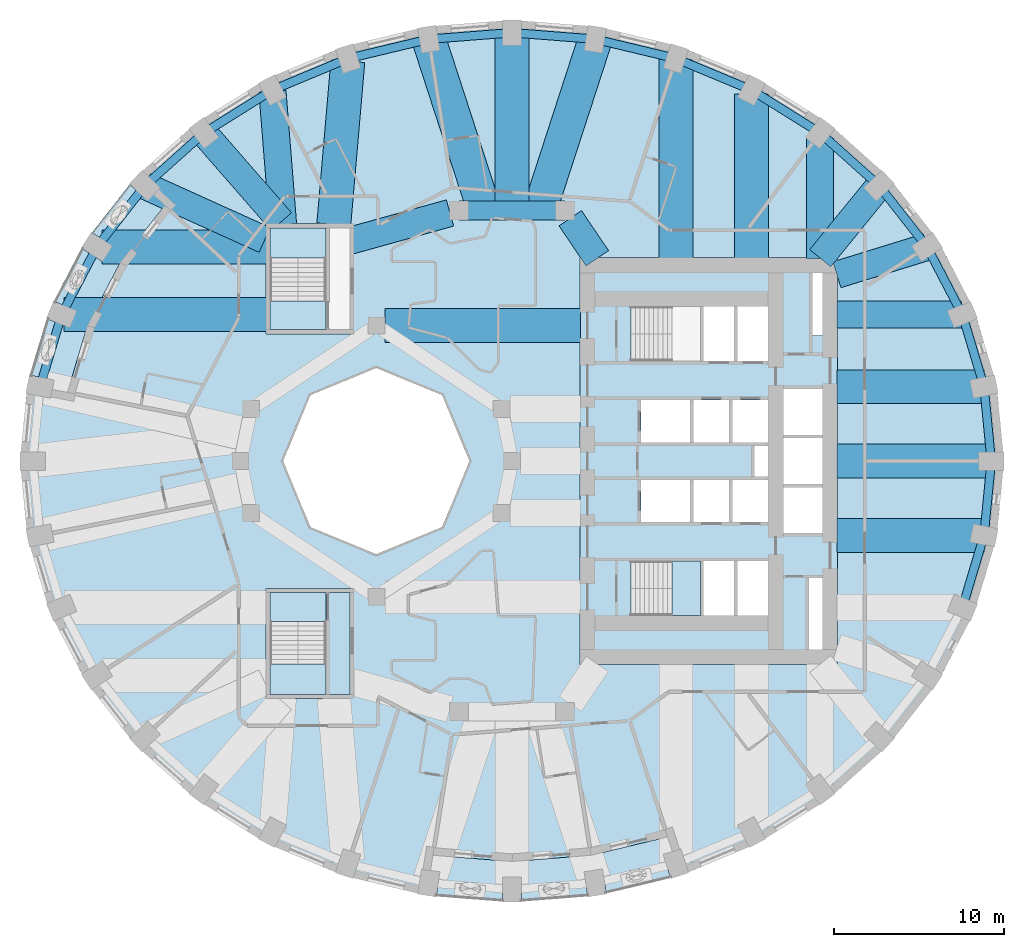
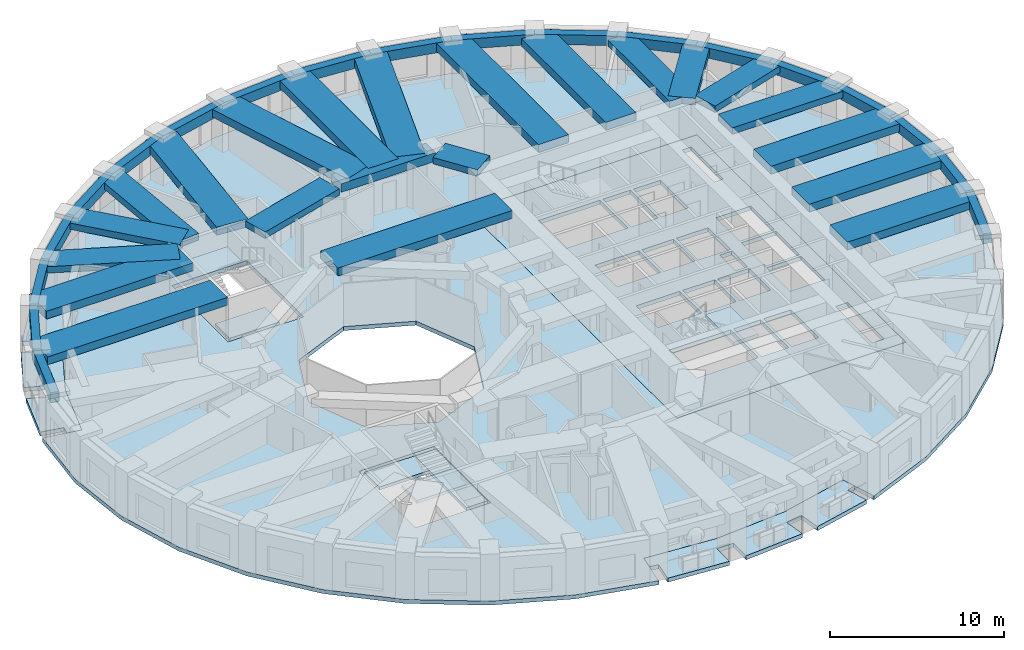
# One storey, part 2 of 13: 41 beams, 10 slabs, 3 elements without a shape of their own.
"""IFC4 building model written with IfcOpenShell, lengths in metres."""

from ifc_helpers import new_model, si_unit, direction, frame, origin, origin_2d, place, context, subcontext, project, spatial, polyline, rectangle, outline, extrude, material, layer, layer_set, material_profile, profile_set, type_object, element, aggregate, save


model = new_model("IFC4")

# Units and contexts
model_context = context("Model", 3, precision=1e-05, world=origin(), true_north=direction((0.0, 1.0)))
body_context = subcontext(model_context, "Body", "Model", "MODEL_VIEW")
ifc_project = project(units=[si_unit("LENGTHUNIT", "METRE"), si_unit("AREAUNIT", "SQUARE_METRE"), si_unit("VOLUMEUNIT", "CUBIC_METRE"), si_unit("PLANEANGLEUNIT", "RADIAN"), si_unit("MASSUNIT", "GRAM", prefix="KILO")], contexts=[model_context])

# Site, building, storey
site_placement = place(None, origin())
site = spatial("IfcSite", under=ifc_project, at=site_placement, CompositionType="ELEMENT")
building_placement = place(site_placement, origin())
building = spatial("IfcBuilding", under=site, at=building_placement, Name="Taillehof Tower", CompositionType="ELEMENT")
storey_placement = place(building_placement, frame((0.0, 0.0, 38.199951171875)))
storey = spatial("IfcBuildingStorey", under=building, at=storey_placement, Name="L09", CompositionType="ELEMENT", Elevation=38.199951171875)

# Beams
ifc_material_1 = material(Name="Concrete C50/60", Category="concrete")
ifc_material_profile_1 = material_profile(ifc_material_1, rectangle(XDim=1.10009765625, YDim=0.60009765625, at=origin_2d()), Name="RC 1100x600")
ifc_profile_set_1 = profile_set([ifc_material_profile_1], Name="Concrete C50/60")
beam_type_1 = type_object("IfcBeamType", Name="Mid-ring beam C50/60 1100x600", PredefinedType="BEAM", material=ifc_profile_set_1)
beam_1_placement = place(storey_placement, frame((3.125732421875, 14.772216796875, 2.719970703125), z_axis=(-1.0, 0.0, 0.0), x_axis=(0.0, -1.0, 0.0)))
element("IfcBeam", 1, at=beam_1_placement, inside=storey, type_object=beam_type_1, Name="Mid-ring beam MB01", PredefinedType="BEAM", context=body_context, shape_type="SweptSolid", body=[
    extrude(rectangle(XDim=1.10009765625, YDim=0.60009765625, at=origin_2d()), origin(), (0.0, 0.0, 1.0), 6.25146484375),
])
ifc_material_2 = material(Name="Concrete C50/60", Category="concrete")
ifc_material_profile_2 = material_profile(ifc_material_2, rectangle(XDim=1.60009765625, YDim=0.449951171875, at=origin_2d()), Name="RC 1600x450")
ifc_profile_set_2 = profile_set([ifc_material_profile_2], Name="Concrete C50/60")
beam_type_2 = type_object("IfcBeamType", Name="Radial band beam C50/60 1600x450", PredefinedType="BEAM", material=ifc_profile_set_2)
beam_2_placement = place(storey_placement, frame((26.490478515625, 8.635986328125, 2.795166015625), z_axis=(-1.0, 0.0, 0.0), x_axis=(0.0, -1.0, 0.0)))
element("IfcBeam", 2, at=beam_2_placement, inside=storey, type_object=beam_type_2, Name="Radial band beam RB03", PredefinedType="BEAM", context=body_context, shape_type="SweptSolid", body=[
    extrude(rectangle(XDim=1.60009765625, YDim=0.449951171875, at=origin_2d()), origin(), (0.0, 0.0, 1.0), 7.340576171875),
])
beam_3_placement = place(storey_placement, frame((24.46533203125, 12.625, 2.795166015625), z_axis=(-0.955535654338, -0.294875589511, 0.0), x_axis=(0.294875589511, -0.955535654338, 0.0)))
element("IfcBeam", 3, at=beam_3_placement, inside=storey, type_object=beam_type_2, Name="Radial band beam RB04", PredefinedType="BEAM", context=body_context, shape_type="SweptSolid", body=[
    extrude(rectangle(XDim=1.60009765625, YDim=0.449951171875, at=origin_2d()), origin(), (0.0, 0.0, 1.0), 5.560546875),
])
beam_4_placement = place(storey_placement, frame((21.640869140625, 16.23046875, 2.795166015625), z_axis=(-0.630988373846, -0.775792286679, 0.0), x_axis=(0.775792286679, -0.630988373846, 0.0)))
element("IfcBeam", 4, at=beam_4_placement, inside=storey, type_object=beam_type_2, Name="Radial band beam RB05", PredefinedType="BEAM", context=body_context, shape_type="SweptSolid", body=[
    extrude(rectangle(XDim=1.60009765625, YDim=0.449951171875, at=origin_2d()), origin(), (0.0, 0.0, 1.0), 5.503173828125),
])
beam_5_placement = place(storey_placement, frame((18.15869140625, 19.05517578125, 2.795166015625), z_axis=(0.0, -1.0, 0.0), x_axis=(1.0, 0.0, 0.0)))
element("IfcBeam", 5, at=beam_5_placement, inside=storey, type_object=beam_type_2, Name="Radial band beam RB06", PredefinedType="BEAM", context=body_context, shape_type="SweptSolid", body=[
    extrude(rectangle(XDim=1.60009765625, YDim=0.449951171875, at=origin_2d()), origin(), (0.0, 0.0, 1.0), 7.105224609375),
])
beam_6_placement = place(storey_placement, frame((-14.119873046875, 21.802978515625, 2.795166015625), z_axis=(0.079184740988, -0.996859958467, 0.0), x_axis=(0.996859958467, 0.079184740988, 0.0)))
element("IfcBeam", 6, at=beam_6_placement, inside=storey, type_object=beam_type_2, Name="Radial band beam RB13", PredefinedType="BEAM", context=body_context, shape_type="SweptSolid", body=[
    extrude(rectangle(XDim=1.60009765625, YDim=0.449951171875, at=origin_2d()), origin(), (0.0, 0.0, 1.0), 7.87744140625),
])
beam_7_placement = place(storey_placement, frame((-18.15869140625, 19.342529296875, 2.795166015625), z_axis=(0.65721824087, -0.753700327628, 0.0), x_axis=(0.753700327628, 0.65721824087, 0.0)))
element("IfcBeam", 7, at=beam_7_placement, inside=storey, type_object=beam_type_2, Name="Radial band beam RB14", PredefinedType="BEAM", context=body_context, shape_type="SweptSolid", body=[
    extrude(rectangle(XDim=1.60009765625, YDim=0.449951171875, at=origin_2d()), origin(), (0.0, 0.0, 1.0), 6.9384765625),
])
beam_8_placement = place(storey_placement, frame((-21.632568359375, 16.226806640625, 2.795166015625), z_axis=(0.911100590789, -0.412184077161, 0.0), x_axis=(0.412184077161, 0.911100590789, 0.0)))
element("IfcBeam", 8, at=beam_8_placement, inside=storey, type_object=beam_type_2, Name="Radial band beam RB15", PredefinedType="BEAM", context=body_context, shape_type="SweptSolid", body=[
    extrude(rectangle(XDim=1.60009765625, YDim=0.449951171875, at=origin_2d()), origin(), (0.0, 0.0, 1.0), 7.740966796875),
])
beam_9_placement = place(storey_placement, frame((3.433837890625, 14.31640625, 2.795166015625), z_axis=(0.560112043398, -0.828416862962, 0.0), x_axis=(0.828416862962, 0.560112043398, 0.0)))
element("IfcBeam", 9, at=beam_9_placement, inside=storey, type_object=beam_type_2, Name="Inner band beam IB205", PredefinedType="BEAM", context=body_context, shape_type="SweptSolid", body=[
    extrude(rectangle(XDim=1.60009765625, YDim=0.449951171875, at=origin_2d()), origin(), (0.0, 0.0, 1.0), 2.84619140625),
])
beam_10_placement = place(storey_placement, frame((-3.655517578125, 14.624755859375, 2.795166015625), z_axis=(-0.963459369536, -0.267854518821, 0.0), x_axis=(0.267854518821, -0.963459369536, 0.0)))
element("IfcBeam", 10, at=beam_10_placement, inside=storey, type_object=beam_type_2, Name="Inner band beam IB206", PredefinedType="BEAM", context=body_context, shape_type="SweptSolid", body=[
    extrude(rectangle(XDim=1.60009765625, YDim=0.449951171875, at=origin_2d()), origin(), (0.0, 0.0, 1.0), 6.096923828125),
])
ifc_material_3 = material(Name="Concrete C50/60", Category="concrete")
ifc_material_profile_3 = material_profile(ifc_material_3, rectangle(XDim=2.0, YDim=0.550048828125, at=origin_2d()), Name="RC 2000x550")
ifc_profile_set_3 = profile_set([ifc_material_profile_3], Name="Concrete C50/60")
beam_type_3 = type_object("IfcBeamType", Name="Radial band beam C50/60 2000x550", PredefinedType="BEAM", material=ifc_profile_set_3)
beam_11_placement = place(storey_placement, frame((28.25, 0.0, 2.7451171875), z_axis=(-1.0, 0.0, 0.0), x_axis=(0.0, -1.0, 0.0)))
element("IfcBeam", 11, at=beam_11_placement, inside=storey, type_object=beam_type_3, Name="Radial band beam RB01", PredefinedType="BEAM", context=body_context, shape_type="SweptSolid", body=[
    extrude(rectangle(XDim=2.0, YDim=0.550048828125, at=origin_2d()), origin(), (0.0, 0.0, 1.0), 9.10009765625),
])
beam_12_placement = place(storey_placement, frame((27.82080078125, 4.384521484375, 2.7451171875), z_axis=(-1.0, 0.0, 0.0), x_axis=(0.0, -1.0, 0.0)))
element("IfcBeam", 12, at=beam_12_placement, inside=storey, type_object=beam_type_3, Name="Radial band beam RB02", PredefinedType="BEAM", context=body_context, shape_type="SweptSolid", body=[
    extrude(rectangle(XDim=2.0, YDim=0.550048828125, at=origin_2d()), origin(), (0.0, 0.0, 1.0), 8.6708984375),
])
beam_13_placement = place(storey_placement, frame((14.125, 21.63232421875, 2.7451171875), z_axis=(0.0, -1.0, 0.0), x_axis=(1.0, 0.0, 0.0)))
element("IfcBeam", 13, at=beam_13_placement, inside=storey, type_object=beam_type_3, Name="Radial band beam RB07", PredefinedType="BEAM", context=body_context, shape_type="SweptSolid", body=[
    extrude(rectangle(XDim=2.0, YDim=0.550048828125, at=origin_2d()), origin(), (0.0, 0.0, 1.0), 9.682373046875),
])
beam_14_placement = place(storey_placement, frame((9.662109375, 23.664794921875, 2.7451171875), z_axis=(0.0, -1.0, 0.0), x_axis=(1.0, 0.0, 0.0)))
element("IfcBeam", 14, at=beam_14_placement, inside=storey, type_object=beam_type_3, Name="Radial band beam RB08", PredefinedType="BEAM", context=body_context, shape_type="SweptSolid", body=[
    extrude(rectangle(XDim=2.0, YDim=0.550048828125, at=origin_2d()), origin(), (0.0, 0.0, 1.0), 11.71484375),
])
beam_15_placement = place(storey_placement, frame((4.905517578125, 24.866455078125, 2.7451171875), z_axis=(-0.309014294595, -0.951057393503, 0.0), x_axis=(0.951057393503, -0.309014294595, 0.0)))
element("IfcBeam", 15, at=beam_15_placement, inside=storey, type_object=beam_type_3, Name="Radial band beam RB09", PredefinedType="BEAM", context=body_context, shape_type="SweptSolid", body=[
    extrude(rectangle(XDim=2.0, YDim=0.550048828125, at=origin_2d()), origin(), (0.0, 0.0, 1.0), 10.61376953125),
])
beam_16_placement = place(storey_placement, frame((0.0, 25.25, 2.7451171875), z_axis=(0.0, -1.0, 0.0), x_axis=(1.0, 0.0, 0.0)))
element("IfcBeam", 16, at=beam_16_placement, inside=storey, type_object=beam_type_3, Name="Radial band beam RB10", PredefinedType="BEAM", context=body_context, shape_type="SweptSolid", body=[
    extrude(rectangle(XDim=2.0, YDim=0.550048828125, at=origin_2d()), origin(), (0.0, 0.0, 1.0), 10.477783203125),
])
beam_17_placement = place(storey_placement, frame((-4.905517578125, 24.866455078125, 2.7451171875), z_axis=(0.309014294595, -0.951057393503, 0.0), x_axis=(0.951057393503, 0.309014294595, 0.0)))
element("IfcBeam", 17, at=beam_17_placement, inside=storey, type_object=beam_type_3, Name="Radial band beam RB11", PredefinedType="BEAM", context=body_context, shape_type="SweptSolid", body=[
    extrude(rectangle(XDim=2.0, YDim=0.550048828125, at=origin_2d()), origin(), (0.0, 0.0, 1.0), 10.61376953125),
])
beam_18_placement = place(storey_placement, frame((-9.675048828125, 23.575927734375, 2.7451171875), z_axis=(-0.085841202752, -0.996308831593, 0.0), x_axis=(0.996308831593, -0.085841202752, 0.0)))
element("IfcBeam", 18, at=beam_18_placement, inside=storey, type_object=beam_type_3, Name="Radial band beam RB12", PredefinedType="BEAM", context=body_context, shape_type="SweptSolid", body=[
    extrude(rectangle(XDim=2.0, YDim=0.550048828125, at=origin_2d()), origin(), (0.0, 0.0, 1.0), 9.661376953125),
])
beam_19_placement = place(storey_placement, frame((-24.172607421875, 12.625, 2.7451171875), z_axis=(1.0, 0.0, 0.0), x_axis=(0.0, 1.0, 0.0)))
element("IfcBeam", 19, at=beam_19_placement, inside=storey, type_object=beam_type_3, Name="Radial band beam RB16", PredefinedType="BEAM", context=body_context, shape_type="SweptSolid", body=[
    extrude(rectangle(XDim=2.0, YDim=0.550048828125, at=origin_2d()), origin(), (0.0, 0.0, 1.0), 9.72265625),
])
beam_20_placement = place(storey_placement, frame((-26.408935546875, 8.635986328125, 2.7451171875), z_axis=(1.0, 0.0, 0.0), x_axis=(0.0, 1.0, 0.0)))
element("IfcBeam", 20, at=beam_20_placement, inside=storey, type_object=beam_type_3, Name="Radial band beam RB17", PredefinedType="BEAM", context=body_context, shape_type="SweptSolid", body=[
    extrude(rectangle(XDim=2.0, YDim=0.550048828125, at=origin_2d()), origin(), (0.0, 0.0, 1.0), 11.958984375),
])
beam_21_placement = place(storey_placement, frame((27.82080078125, -4.384521484375, 2.7451171875), z_axis=(-1.0, 0.0, 0.0), x_axis=(0.0, -1.0, 0.0)))
element("IfcBeam", 21, at=beam_21_placement, inside=storey, type_object=beam_type_3, Name="Radial band beam RB36", PredefinedType="BEAM", context=body_context, shape_type="SweptSolid", body=[
    extrude(rectangle(XDim=2.0, YDim=0.550048828125, at=origin_2d()), origin(), (0.0, 0.0, 1.0), 8.6708984375),
])
beam_22_placement = place(storey_placement, frame((-7.5, 8.0, 2.7451171875), z_axis=(1.0, 0.0, 0.0), x_axis=(0.0, 1.0, 0.0)))
element("IfcBeam", 22, at=beam_22_placement, inside=storey, type_object=beam_type_3, Name="Inner band beam IB105", PredefinedType="BEAM", context=body_context, shape_type="SweptSolid", body=[
    extrude(rectangle(XDim=2.0, YDim=0.550048828125, at=origin_2d()), origin(), (0.0, 0.0, 1.0), 11.550048828125),
])
ifc_material_4 = material(Name="Concrete C50/60", Category="concrete")
ifc_material_profile_4 = material_profile(ifc_material_4, rectangle(XDim=0.5, YDim=0.699951171875, at=origin_2d()), Name="RC 500x700")
ifc_profile_set_4 = profile_set([ifc_material_profile_4], Name="Concrete C50/60")
beam_type_4 = type_object("IfcBeamType", Name="Spandrel beam C50/60 500x700", PredefinedType="SPANDREL", material=ifc_profile_set_4)
beam_23_placement = place(storey_placement, frame((28.25, 0.0, 2.670166015625), z_axis=(-0.097423973567, 0.99524297002, 0.0), x_axis=(-0.99524297002, -0.097423973567, 0.0)))
element("IfcBeam", 23, at=beam_23_placement, inside=storey, type_object=beam_type_4, Name="Spandrel beam SB01", PredefinedType="SPANDREL", context=body_context, shape_type="SweptSolid", body=[
    extrude(rectangle(XDim=0.5, YDim=0.699951171875, at=origin_2d()), origin(), (0.0, 0.0, 1.0), 4.405517578125),
])
beam_24_placement = place(storey_placement, frame((27.82080078125, 4.384521484375, 2.670166015625), z_axis=(-0.287135925407, 0.957889847707, 0.0), x_axis=(-0.957889847707, -0.287135925407, 0.0)))
element("IfcBeam", 24, at=beam_24_placement, inside=storey, type_object=beam_type_4, Name="Spandrel beam SB02", PredefinedType="SPANDREL", context=body_context, shape_type="SweptSolid", body=[
    extrude(rectangle(XDim=0.5, YDim=0.699951171875, at=origin_2d()), origin(), (0.0, 0.0, 1.0), 4.4384765625),
])
beam_25_placement = place(storey_placement, frame((26.54638671875, 8.635986328125, 2.670166015625), z_axis=(-0.462536335232, 0.886600326297, 0.0), x_axis=(-0.886600326297, -0.462536335232, 0.0)))
element("IfcBeam", 25, at=beam_25_placement, inside=storey, type_object=beam_type_4, Name="Spandrel beam SB03", PredefinedType="SPANDREL", context=body_context, shape_type="SweptSolid", body=[
    extrude(rectangle(XDim=0.5, YDim=0.699951171875, at=origin_2d()), origin(), (0.0, 0.0, 1.0), 4.499267578125),
])
beam_26_placement = place(storey_placement, frame((24.46533203125, 12.625, 2.670166015625), z_axis=(-0.616686200373, 0.787209076593, 0.0), x_axis=(-0.787209076593, -0.616686200373, 0.0)))
element("IfcBeam", 26, at=beam_26_placement, inside=storey, type_object=beam_type_4, Name="Spandrel beam SB04", PredefinedType="SPANDREL", context=body_context, shape_type="SweptSolid", body=[
    extrude(rectangle(XDim=0.5, YDim=0.699951171875, at=origin_2d()), origin(), (0.0, 0.0, 1.0), 4.580078125),
])
beam_27_placement = place(storey_placement, frame((21.640869140625, 16.23046875, 2.670166015625), z_axis=(-0.745621283614, 0.666369943366, 0.0), x_axis=(-0.666369943366, -0.745621283614, 0.0)))
element("IfcBeam", 27, at=beam_27_placement, inside=storey, type_object=beam_type_4, Name="Spandrel beam SB05", PredefinedType="SPANDREL", context=body_context, shape_type="SweptSolid", body=[
    extrude(rectangle(XDim=0.5, YDim=0.699951171875, at=origin_2d()), origin(), (0.0, 0.0, 1.0), 4.670166015625),
])
beam_28_placement = place(storey_placement, frame((18.15869140625, 19.342529296875, 2.670166015625), z_axis=(-0.847658018883, 0.530543007703, 0.0), x_axis=(-0.530543007703, -0.847658018883, 0.0)))
element("IfcBeam", 28, at=beam_28_placement, inside=storey, type_object=beam_type_4, Name="Spandrel beam SB06", PredefinedType="SPANDREL", context=body_context, shape_type="SweptSolid", body=[
    extrude(rectangle(XDim=0.5, YDim=0.699951171875, at=origin_2d()), origin(), (0.0, 0.0, 1.0), 4.758544921875),
])
beam_29_placement = place(storey_placement, frame((14.125, 21.8671875, 2.670166015625), z_axis=(-0.923035088053, 0.384715773297, 0.0), x_axis=(-0.384715773297, -0.923035088053, 0.0)))
element("IfcBeam", 29, at=beam_29_placement, inside=storey, type_object=beam_type_4, Name="Spandrel beam SB07", PredefinedType="SPANDREL", context=body_context, shape_type="SweptSolid", body=[
    extrude(rectangle(XDim=0.5, YDim=0.699951171875, at=origin_2d()), origin(), (0.0, 0.0, 1.0), 4.8349609375),
])
beam_30_placement = place(storey_placement, frame((9.662109375, 23.727294921875, 2.670166015625), z_axis=(-0.9724995553, 0.232904733616, 0.0), x_axis=(-0.232904733616, -0.9724995553, 0.0)))
element("IfcBeam", 30, at=beam_30_placement, inside=storey, type_object=beam_type_4, Name="Spandrel beam SB08", PredefinedType="SPANDREL", context=body_context, shape_type="SweptSolid", body=[
    extrude(rectangle(XDim=0.5, YDim=0.699951171875, at=origin_2d()), origin(), (0.0, 0.0, 1.0), 4.89111328125),
])
for number, where, z_axis, x_axis, name in (
    (31, (4.905517578125, 24.866455078125, 2.670166015625), (-0.996957383661, 0.077948541767, 0.0), (-0.077948541767, -0.996957383661, 0.0), "Spandrel beam SB09"),
    (32, (0.0, 25.25, 2.670166015625), (-0.996957383661, -0.077948541767, 0.0), (0.077948541767, -0.996957383661, 0.0), "Spandrel beam SB10"),
):
    element("IfcBeam", number, at=place(storey_placement, frame(where, z_axis=z_axis, x_axis=x_axis)), inside=storey, type_object=beam_type_4, Name=name, PredefinedType="SPANDREL", context=body_context, shape_type="SweptSolid", body=[
        extrude(rectangle(XDim=0.5, YDim=0.699951171875, at=origin_2d()), origin(), (0.0, 0.0, 1.0), 4.92041015625),
    ])
beam_31_placement = place(storey_placement, frame((-4.905517578125, 24.866455078125, 2.670166015625), z_axis=(-0.9724995553, -0.232904733616, 0.0), x_axis=(0.232904733616, -0.9724995553, 0.0)))
element("IfcBeam", 33, at=beam_31_placement, inside=storey, type_object=beam_type_4, Name="Spandrel beam SB11", PredefinedType="SPANDREL", context=body_context, shape_type="SweptSolid", body=[
    extrude(rectangle(XDim=0.5, YDim=0.699951171875, at=origin_2d()), origin(), (0.0, 0.0, 1.0), 4.89111328125),
])
beam_32_placement = place(storey_placement, frame((-9.662109375, 23.727294921875, 2.670166015625), z_axis=(-0.923035088053, -0.384715773297, 0.0), x_axis=(0.384715773297, -0.923035088053, 0.0)))
element("IfcBeam", 34, at=beam_32_placement, inside=storey, type_object=beam_type_4, Name="Spandrel beam SB12", PredefinedType="SPANDREL", context=body_context, shape_type="SweptSolid", body=[
    extrude(rectangle(XDim=0.5, YDim=0.699951171875, at=origin_2d()), origin(), (0.0, 0.0, 1.0), 4.8349609375),
])
beam_33_placement = place(storey_placement, frame((-14.125, 21.8671875, 2.670166015625), z_axis=(-0.847658018883, -0.530543007703, 0.0), x_axis=(0.530543007703, -0.847658018883, 0.0)))
element("IfcBeam", 35, at=beam_33_placement, inside=storey, type_object=beam_type_4, Name="Spandrel beam SB13", PredefinedType="SPANDREL", context=body_context, shape_type="SweptSolid", body=[
    extrude(rectangle(XDim=0.5, YDim=0.699951171875, at=origin_2d()), origin(), (0.0, 0.0, 1.0), 4.758544921875),
])
beam_34_placement = place(storey_placement, frame((-18.15869140625, 19.342529296875, 2.670166015625), z_axis=(-0.745621283614, -0.666369943366, 0.0), x_axis=(0.666369943366, -0.745621283614, 0.0)))
element("IfcBeam", 36, at=beam_34_placement, inside=storey, type_object=beam_type_4, Name="Spandrel beam SB14", PredefinedType="SPANDREL", context=body_context, shape_type="SweptSolid", body=[
    extrude(rectangle(XDim=0.5, YDim=0.699951171875, at=origin_2d()), origin(), (0.0, 0.0, 1.0), 4.670166015625),
])
beam_35_placement = place(storey_placement, frame((-21.640869140625, 16.23046875, 2.670166015625), z_axis=(-0.616686200373, -0.787209076593, 0.0), x_axis=(0.787209076593, -0.616686200373, 0.0)))
element("IfcBeam", 37, at=beam_35_placement, inside=storey, type_object=beam_type_4, Name="Spandrel beam SB15", PredefinedType="SPANDREL", context=body_context, shape_type="SweptSolid", body=[
    extrude(rectangle(XDim=0.5, YDim=0.699951171875, at=origin_2d()), origin(), (0.0, 0.0, 1.0), 4.580078125),
])
beam_36_placement = place(storey_placement, frame((-24.46533203125, 12.625, 2.670166015625), z_axis=(-0.462536335232, -0.886600326297, 0.0), x_axis=(0.886600326297, -0.462536335232, 0.0)))
element("IfcBeam", 38, at=beam_36_placement, inside=storey, type_object=beam_type_4, Name="Spandrel beam SB16", PredefinedType="SPANDREL", context=body_context, shape_type="SweptSolid", body=[
    extrude(rectangle(XDim=0.5, YDim=0.699951171875, at=origin_2d()), origin(), (0.0, 0.0, 1.0), 4.499267578125),
])
for number, where, z_axis, x_axis, name in (
    (39, (-26.54638671875, 8.635986328125, 2.670166015625), (-0.287135925407, -0.957889847707, 0.0), (0.957889847707, -0.287135925407, 0.0), "Spandrel beam SB17"),
    (40, (26.54638671875, -8.635986328125, 2.670166015625), (0.287135925407, 0.957889847707, 0.0), (-0.957889847707, 0.287135925407, 0.0), "Spandrel beam SB35"),
):
    element("IfcBeam", number, at=place(storey_placement, frame(where, z_axis=z_axis, x_axis=x_axis)), inside=storey, type_object=beam_type_4, Name=name, PredefinedType="SPANDREL", context=body_context, shape_type="SweptSolid", body=[
        extrude(rectangle(XDim=0.5, YDim=0.699951171875, at=origin_2d()), origin(), (0.0, 0.0, 1.0), 4.4384765625),
    ])
beam_37_placement = place(storey_placement, frame((27.82080078125, -4.384521484375, 2.670166015625), z_axis=(0.097423973567, 0.99524297002, 0.0), x_axis=(-0.99524297002, 0.097423973567, 0.0)))
element("IfcBeam", 41, at=beam_37_placement, inside=storey, type_object=beam_type_4, Name="Spandrel beam SB36", PredefinedType="SPANDREL", context=body_context, shape_type="SweptSolid", body=[
    extrude(rectangle(XDim=0.5, YDim=0.699951171875, at=origin_2d()), origin(), (0.0, 0.0, 1.0), 4.405517578125),
])

# Slabs
ifc_material_5 = material(Name="Concrete C40/50", Category="concrete")
ifc_layer_1 = layer(ifc_material_5, 0.280029296875)
ifc_layer_set_1 = layer_set([ifc_layer_1], Name="Balcony slab 280")
slab_type_1 = type_object("IfcSlabType", Name="Balcony slab 280", PredefinedType="USERDEFINED", material=ifc_layer_set_1)
slab_1_placement = place(storey_placement, frame((0.0, 0.0, -0.280029296875)))
element("IfcSlab", 42, at=slab_1_placement, inside=storey, type_object=slab_type_1, Name="Balcony L09 pocket 4", ObjectType="BALCONY", PredefinedType="USERDEFINED", context=body_context, shape_type="SweptSolid", body=[
    extrude(outline(polyline([(-26.20458984375, 4.0517578125), (-27.087646484375, 4.225341796875), (-26.978759765625, 4.779541015625), (-28.39697265625, 5.058349609375), (-27.4013671875, 8.3896484375), (-26.058349609375, 7.84423828125), (-25.64453125, 8.863525390625), (-26.9833984375, 9.406982421875), (-25.352783203125, 12.54248046875), (-24.13232421875, 11.756591796875), (-23.536865234375, 12.681396484375), (-24.752197265625, 13.464111328125), (-22.530029296875, 16.309326171875), (-21.468994140625, 15.31640625), (-21.120849609375, 15.688232421875), (-20.463134765625, 15.072509765625), (-23.096923828125, 11.70068359375), (-25.02734375, 7.98974609375), (-26.20458984375, 4.0517578125)])), origin(), (0.0, 0.0, 1.0), 0.280029296875),
])
slab_2_placement = place(storey_placement, frame((0.0, 0.0, -0.280029296875)))
element("IfcSlab", 43, at=slab_2_placement, inside=storey, type_object=slab_type_1, Name="Balcony L09 pocket 8", ObjectType="BALCONY", PredefinedType="USERDEFINED", context=body_context, shape_type="SweptSolid", body=[
    extrude(outline(polyline([(9.174072265625, -22.150390625), (9.453369140625, -23.00634765625), (8.906494140625, -23.184814453125), (9.357421875, -24.56689453125), (5.559326171875, -25.479248046875), (5.331787109375, -24.039794921875), (4.2451171875, -24.21142578125), (4.472412109375, -25.649169921875), (0.550048828125, -25.956787109375), (0.550048828125, -24.5), (-0.550048828125, -24.5), (-0.550048828125, -25.956787109375), (-4.472412109375, -25.649169921875), (-4.2451171875, -24.21142578125), (-4.801513671875, -24.12353515625), (-4.6611328125, -23.234375), (0.0, -23.60009765625), (4.6611328125, -23.234375), (9.174072265625, -22.150390625)])), origin(), (0.0, 0.0, 1.0), 0.280029296875),
])
ifc_material_6 = material(Name="Concrete C40/50", Category="concrete")
ifc_layer_2 = layer(ifc_material_6, 0.280029296875)
ifc_layer_set_2 = layer_set([ifc_layer_2], Name="Core floor slab C40/50 280")
slab_type_2 = type_object("IfcSlabType", Name="Core floor slab C40/50 280", PredefinedType="FLOOR", material=ifc_layer_set_2)
slab_3_placement = place(storey_placement, frame((0.0, 0.0, -0.280029296875)))
element("IfcSlab", 44, at=slab_3_placement, inside=storey, type_object=slab_type_2, Name="Core floor L09", PredefinedType="FLOOR", context=body_context, shape_type="SweptSolid", body=[
    extrude(outline(polyline([(4.0, -12.0), (4.0, 12.0), (19.199951171875, 12.0), (19.199951171875, -12.0), (4.0, -12.0)]), holes=[polyline([(7.00048828125, -9.10009765625), (11.10009765625, -9.10009765625), (11.10009765625, -5.89990234375), (7.00048828125, -5.89990234375), (7.00048828125, -9.10009765625)]), polyline([(13.10009765625, -9.10009765625), (13.10009765625, -5.89990234375), (11.300048828125, -5.89990234375), (11.300048828125, -9.10009765625), (13.10009765625, -9.10009765625)]), polyline([(10.5, -3.60009765625), (10.5, -1.10009765625), (7.60009765625, -1.10009765625), (7.60009765625, -3.60009765625), (10.5, -3.60009765625)]), polyline([(12.800048828125, -3.60009765625), (12.800048828125, -1.10009765625), (10.699951171875, -1.10009765625), (10.699951171875, -3.60009765625), (12.800048828125, -3.60009765625)]), polyline([(10.5, 1.10009765625), (10.5, 3.60009765625), (7.60009765625, 3.60009765625), (7.60009765625, 1.10009765625), (10.5, 1.10009765625)]), polyline([(12.800048828125, 1.10009765625), (12.800048828125, 3.60009765625), (10.699951171875, 3.60009765625), (10.699951171875, 1.10009765625), (12.800048828125, 1.10009765625)]), polyline([(15.10009765625, 1.10009765625), (15.10009765625, 3.60009765625), (13.0, 3.60009765625), (13.0, 1.10009765625), (15.10009765625, 1.10009765625)]), polyline([(11.300048828125, 5.89990234375), (13.10009765625, 5.89990234375), (13.10009765625, 9.10009765625), (11.300048828125, 9.10009765625), (11.300048828125, 5.89990234375)]), polyline([(7.00048828125, 5.89990234375), (11.10009765625, 5.89990234375), (11.10009765625, 9.10009765625), (7.00048828125, 9.10009765625), (7.00048828125, 5.89990234375)]), polyline([(18.300048828125, -11.10009765625), (18.300048828125, -6.89990234375), (17.5, -6.89990234375), (17.5, -11.10009765625), (18.300048828125, -11.10009765625)]), polyline([(15.10009765625, -9.10009765625), (15.10009765625, -5.89990234375), (13.300048828125, -5.89990234375), (13.300048828125, -9.10009765625), (15.10009765625, -9.10009765625)]), polyline([(18.300048828125, -4.25), (18.300048828125, -1.550048828125), (16.0, -1.550048828125), (16.0, -4.25), (18.300048828125, -4.25)]), polyline([(15.10009765625, -3.60009765625), (15.10009765625, -1.10009765625), (13.0, -1.10009765625), (13.0, -3.60009765625), (15.10009765625, -3.60009765625)]), polyline([(15.10009765625, -0.89990234375), (15.10009765625, 0.89990234375), (14.300048828125, 0.89990234375), (14.300048828125, -0.89990234375), (15.10009765625, -0.89990234375)]), polyline([(18.300048828125, -1.35009765625), (18.300048828125, 1.35009765625), (16.0, 1.35009765625), (16.0, -1.35009765625), (18.300048828125, -1.35009765625)]), polyline([(18.300048828125, 1.550048828125), (18.300048828125, 4.25), (16.0, 4.25), (16.0, 1.550048828125), (18.300048828125, 1.550048828125)]), polyline([(13.300048828125, 5.89990234375), (15.10009765625, 5.89990234375), (15.10009765625, 9.10009765625), (13.300048828125, 9.10009765625), (13.300048828125, 5.89990234375)]), polyline([(18.300048828125, 7.39990234375), (18.300048828125, 11.10009765625), (17.699951171875, 11.10009765625), (17.699951171875, 7.39990234375), (18.300048828125, 7.39990234375)])]), origin(), (0.0, 0.0, 1.0), 0.280029296875),
])
ifc_material_7 = material(Name="Concrete C40/50", Category="concrete")
ifc_layer_3 = layer(ifc_material_7, 0.280029296875)
ifc_layer_set_3 = layer_set([ifc_layer_3], Name="Floor slab 280")
slab_type_3 = type_object("IfcSlabType", Name="Floor slab 280", PredefinedType="FLOOR", material=ifc_layer_set_3)
slab_4_placement = place(storey_placement, frame((0.0, 0.0, -0.280029296875)))
element("IfcSlab", 45, at=slab_4_placement, inside=storey, type_object=slab_type_3, Name="Floor slab L09", PredefinedType="FLOOR", context=body_context, shape_type="SweptSolid", body=[
    extrude(outline(polyline([(29.0, 0.0), (28.559326171875, 4.514892578125), (27.251220703125, 8.892578125), (25.11474609375, 13.0), (22.21533203125, 16.71240234375), (18.640869140625, 19.917236328125), (14.5, 22.5166015625), (9.918701171875, 24.431884765625), (5.035888671875, 25.60498046875), (0.0, 26.0), (-5.035888671875, 25.60498046875), (-9.918701171875, 24.431884765625), (-14.5, 22.5166015625), (-18.640869140625, 19.917236328125), (-22.21533203125, 16.71240234375), (-20.462890625, 15.072509765625), (-23.096923828125, 11.70068359375), (-25.02734375, 7.98974609375), (-26.20458984375, 4.0517578125), (-28.559326171875, 4.514892578125), (-29.0, 0.0), (-28.559326171875, -4.514892578125), (-27.251220703125, -8.892578125), (-25.11474609375, -13.0), (-22.21533203125, -16.71240234375), (-18.640869140625, -19.917236328125), (-14.5, -22.5166015625), (-9.918701171875, -24.431884765625), (-5.035888671875, -25.60498046875), (-4.660888671875, -23.234375), (0.0, -23.60009765625), (4.660888671875, -23.234375), (9.174072265625, -22.150390625), (9.918701171875, -24.431884765625), (14.5, -22.5166015625), (18.640869140625, -19.917236328125), (22.21533203125, -16.71240234375), (25.11474609375, -13.0), (27.251220703125, -8.892578125), (28.559326171875, -4.514892578125), (29.0, 0.0)]), holes=[polyline([(-14.5, -7.5), (-9.5, -7.5), (-9.5, -14.0), (-14.5, -14.0), (-14.5, -7.5)]), polyline([(-8.0, -5.5), (-11.88916015625, -3.88916015625), (-13.5, 0.0), (-11.88916015625, 3.88916015625), (-8.0, 5.5), (-4.11083984375, 3.88916015625), (-2.5, 0.0), (-4.11083984375, -3.88916015625), (-8.0, -5.5)]), polyline([(19.199951171875, 12.0), (19.199951171875, -12.0), (4.0, -12.0), (4.0, 12.0), (19.199951171875, 12.0)]), polyline([(-14.5, 14.0), (-9.5, 14.0), (-9.5, 7.5), (-14.5, 7.5), (-14.5, 14.0)])]), origin(), (0.0, 0.0, 1.0), 0.280029296875),
])

# Stair, slab
ifc_material_8 = material(Name="Concrete C40/50", Category="concrete")
stair_type = type_object("IfcStairType", Name="Exit stair half-turn", PredefinedType="HALF_TURN_STAIR", material=ifc_material_8)
stair_1_placement = place(storey_placement, origin())
stair_1 = element("IfcStair", 46, at=stair_1_placement, inside=storey, type_object=stair_type, Name="Exit stair S2", PredefinedType="HALF_TURN_STAIR")
ifc_material_9 = material(Name="Concrete C40/50", Category="concrete")
ifc_layer_4 = layer(ifc_material_9, 0.2099609375)
ifc_layer_set_4 = layer_set([ifc_layer_4], Name="Stair landing C40/50 210")
slab_type_4 = type_object("IfcSlabType", Name="Stair landing C40/50 210", PredefinedType="LANDING", material=ifc_layer_set_4)
slab_5_placement = place(storey_placement, frame((0.0, 0.0, 1.43994140625)))
slab_5 = element("IfcSlab", 47, at=slab_5_placement, type_object=slab_type_4, Name="S2 landing 1", PredefinedType="LANDING", context=body_context, shape_type="SweptSolid", body=[
    extrude(outline(polyline([(9.429931640625, -5.89990234375), (11.10009765625, -5.89990234375), (11.10009765625, -9.10009765625), (9.429931640625, -9.10009765625), (9.429931640625, -5.89990234375)])), origin(), (0.0, 0.0, 1.0), 0.210205078125),
])
aggregate(stair_1, [slab_5])

stair_2_placement = place(storey_placement, origin())
stair_2 = element("IfcStair", 48, at=stair_2_placement, inside=storey, type_object=stair_type, Name="Exit stair S3", PredefinedType="HALF_TURN_STAIR")
slab_6_placement = place(storey_placement, frame((0.0, 0.0, 1.43994140625)))
slab_6 = element("IfcSlab", 49, at=slab_6_placement, type_object=slab_type_4, Name="S3 landing 1", PredefinedType="LANDING", context=body_context, shape_type="SweptSolid", body=[
    extrude(outline(polyline([(-14.25, 11.969970703125), (-14.25, 13.75), (-10.949951171875, 13.75), (-10.949951171875, 11.969970703125), (-14.25, 11.969970703125)])), origin(), (0.0, 0.0, 1.0), 0.210205078125),
])
aggregate(stair_2, [slab_6])

stair_3_placement = place(storey_placement, origin())
stair_3 = element("IfcStair", 50, at=stair_3_placement, inside=storey, type_object=stair_type, Name="Exit stair S4", PredefinedType="HALF_TURN_STAIR")
slab_7_placement = place(storey_placement, frame((0.0, 0.0, 1.43994140625)))
slab_7 = element("IfcSlab", 51, at=slab_7_placement, type_object=slab_type_4, Name="S4 landing 1", PredefinedType="LANDING", context=body_context, shape_type="SweptSolid", body=[
    extrude(outline(polyline([(-14.25, -11.969970703125), (-14.25, -13.75), (-10.949951171875, -13.75), (-10.949951171875, -11.969970703125), (-14.25, -11.969970703125)])), origin(), (0.0, 0.0, 1.0), 0.210205078125),
])
aggregate(stair_3, [slab_7])

# Slabs
slab_8_placement = place(storey_placement, frame((0.0, 0.0, -0.2099609375)))
element("IfcSlab", 52, at=slab_8_placement, inside=storey, type_object=slab_type_4, Name="Stair S3 floor landing", PredefinedType="LANDING", context=body_context, shape_type="SweptSolid", body=[
    extrude(outline(polyline([(-14.25, 7.75), (-14.25, 9.449951171875), (-10.949951171875, 9.449951171875), (-10.949951171875, 7.75), (-14.25, 7.75)])), origin(), (0.0, 0.0, 1.0), 0.2099609375),
])
slab_9_placement = place(storey_placement, frame((0.0, 0.0, -0.2099609375)))
element("IfcSlab", 53, at=slab_9_placement, inside=storey, type_object=slab_type_4, Name="Stair S4 floor landing", PredefinedType="LANDING", context=body_context, shape_type="SweptSolid", body=[
    extrude(outline(polyline([(-14.25, -7.75), (-14.25, -9.449951171875), (-10.949951171875, -9.449951171875), (-10.949951171875, -7.75), (-14.25, -7.75)])), origin(), (0.0, 0.0, 1.0), 0.2099609375),
])
slab_10_placement = place(storey_placement, frame((0.0, 0.0, -0.2099609375)))
element("IfcSlab", 54, at=slab_10_placement, inside=storey, type_object=slab_type_4, Name="Stair lobby S4 floor", PredefinedType="LANDING", context=body_context, shape_type="SweptSolid", body=[
    extrude(outline(polyline([(-10.949951171875, -13.75), (-9.550048828125, -13.75), (-9.550048828125, -7.75), (-10.949951171875, -7.75), (-10.949951171875, -13.75)])), origin(), (0.0, 0.0, 1.0), 0.2099609375),
])

save(model, "model.ifc")
